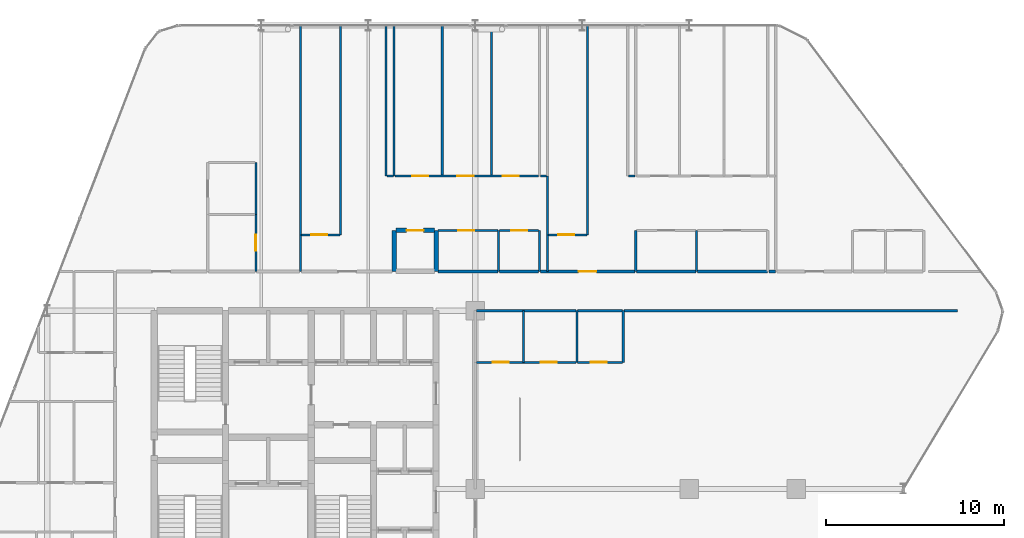
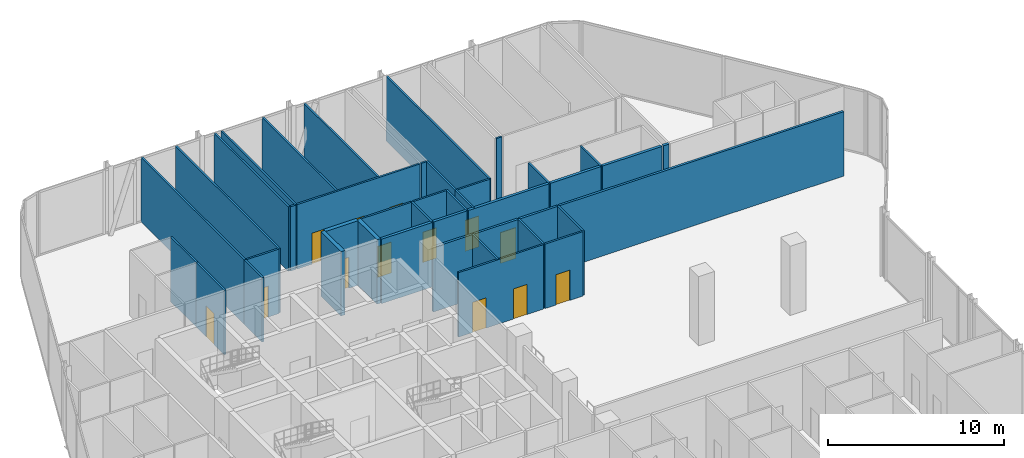
# One storey, part 27 of 29: 41 walls, 13 doors, 13 openings.
"""IFC4 building model written with IfcOpenShell, lengths in metres."""

from ifc_helpers import new_model, si_unit, direction, frame, frame_2d, origin, place, context, subcontext, project, spatial, rectangle, extrude, material, layer, layer_set, type_object, element, fill, save


model = new_model("IFC4")

# Units and contexts
model_context = context("Model", 3, precision=1e-05, world=origin(), true_north=direction((0.0, 1.0)))
body_context = subcontext(model_context, "Body", "Model", "MODEL_VIEW")
ifc_project = project(units=[si_unit("LENGTHUNIT", "METRE"), si_unit("AREAUNIT", "SQUARE_METRE"), si_unit("VOLUMEUNIT", "CUBIC_METRE"), si_unit("PLANEANGLEUNIT", "RADIAN"), si_unit("MASSUNIT", "GRAM", prefix="KILO")], contexts=[model_context])

# Site, building, storey
site_placement = place(None, origin())
site = spatial("IfcSite", under=ifc_project, at=site_placement, CompositionType="ELEMENT")
building_placement = place(site_placement, origin())
building = spatial("IfcBuilding", under=site, at=building_placement, Name="Keshet Zoharim Tower", CompositionType="ELEMENT")
storey_placement = place(building_placement, frame((0.0, 0.0, 120.5)))
storey = spatial("IfcBuildingStorey", under=building, at=storey_placement, Name="L29", CompositionType="ELEMENT", Elevation=120.5)

# Walls
ifc_material_1 = material(Name="Gypsum Plasterboard", Category="gypsum")
ifc_layer_1 = layer(ifc_material_1, 0.14990234375)
ifc_layer_set_1 = layer_set([ifc_layer_1], Name="Gypsum Plasterboard")
wall_type_1 = type_object("IfcWallType", Name="WL-CLIN-150", PredefinedType="STANDARD", material=ifc_layer_set_1)
wall_1_placement = place(storey_placement, frame((33.06005859375, 37.89990234375, 0.0), z_axis=(0.0, 0.0, 1.0), x_axis=(1.0, 0.0, 0.0)))
element("IfcWall", 1, at=wall_1_placement, inside=storey, type_object=wall_type_1, Name="L29 Interior Wall 182", PredefinedType="STANDARD", context=body_context, shape_type="SweptSolid", body=[
    extrude(rectangle(XDim=5.594970703125, YDim=0.14990234375, at=frame_2d((2.79736328125, 0.0))), origin(), (0.0, 0.0, 1.0), 4.47998046875),
])
wall_2_placement = place(storey_placement, frame((38.7451171875, 37.89990234375, 0.0), z_axis=(0.0, 0.0, 1.0), x_axis=(1.0, 0.0, 0.0)))
element("IfcWall", 2, at=wall_2_placement, inside=storey, type_object=wall_type_1, Name="L29 Interior Wall 183", PredefinedType="STANDARD", context=body_context, shape_type="SweptSolid", body=[
    extrude(rectangle(XDim=2.509765625, YDim=0.14990234375, at=frame_2d((1.2548828125, 0.0))), origin(), (0.0, 0.0, 1.0), 4.47998046875),
])
wall_3_placement = place(storey_placement, frame((41.344970703125, 37.89990234375, 0.0), z_axis=(0.0, 0.0, 1.0), x_axis=(1.0, 0.0, 0.0)))
element("IfcWall", 3, at=wall_3_placement, inside=storey, type_object=wall_type_1, Name="L29 Interior Wall 184", PredefinedType="STANDARD", context=body_context, shape_type="SweptSolid", body=[
    extrude(rectangle(XDim=18.705078125, YDim=0.14990234375, at=frame_2d((9.3525390625, 0.0))), origin(), (0.0, 0.0, 1.0), 4.47998046875),
])
ifc_layer_2 = layer(ifc_material_1, 0.179931640625)
ifc_layer_set_2 = layer_set([ifc_layer_2], Name="Gypsum Plasterboard")
wall_type_2 = type_object("IfcWallType", Name="WL-CORR-180", PredefinedType="STANDARD", material=ifc_layer_set_2)
wall_4_placement = place(storey_placement, frame((30.924072265625, 40.10009765625, 0.0), z_axis=(0.0, 0.0, 1.0), x_axis=(1.0, 0.0, 0.0)))
element("IfcWall", 4, at=wall_4_placement, inside=storey, type_object=wall_type_2, Name="L29 Interior Wall 192", PredefinedType="STANDARD", context=body_context, shape_type="SweptSolid", body=[
    extrude(rectangle(XDim=3.348876953125, YDim=0.179931640625, at=frame_2d((1.67431640625, 0.0))), origin(), (0.0, 0.0, 1.0), 4.47998046875),
])
wall_5_placement = place(storey_placement, frame((34.363037109375, 40.10009765625, 0.0), z_axis=(0.0, 0.0, 1.0), x_axis=(1.0, 0.0, 0.0)))
element("IfcWall", 5, at=wall_5_placement, inside=storey, type_object=wall_type_2, Name="L29 Interior Wall 193", PredefinedType="STANDARD", context=body_context, shape_type="SweptSolid", body=[
    extrude(rectangle(XDim=2.19189453125, YDim=0.179931640625, at=frame_2d((1.095947265625, 0.0))), origin(), (0.0, 0.0, 1.0), 4.47998046875),
])

# Wall, opening, door
wall_6_placement = place(storey_placement, frame((36.64501953125, 40.10009765625, 0.0), z_axis=(0.0, 0.0, 1.0), x_axis=(1.0, 0.0, 0.0)))
wall_6 = element("IfcWall", 6, at=wall_6_placement, inside=storey, type_object=wall_type_2, Name="L29 Interior Wall 194", PredefinedType="STANDARD", context=body_context, shape_type="SweptSolid", body=[
    extrude(rectangle(XDim=5.300048828125, YDim=0.179931640625, at=frame_2d((2.64990234375, 0.0))), origin(), (0.0, 0.0, 1.0), 4.47998046875),
])
opening_1_placement = place(wall_6_placement, frame((2.14990234375, 0.0, 0.0)))
opening_1 = element("IfcOpeningElement", 7, at=opening_1_placement, cuts=wall_6, Name="Opening D-F310", PredefinedType="OPENING", context=body_context, shape_type="SweptSolid", body=[
    extrude(rectangle(XDim=1.0, YDim=2.14990234375, at=frame_2d((0.5, 1.074951171875))), frame((0.0, 0.10009765625, 0.0), z_axis=(0.0, -1.0, 0.0), x_axis=(1.0, 0.0, 0.0)), (0.0, 0.0, 1.0), 0.199951171875),
])
ifc_material_2 = material(Name="Hardwood Timber", Category="wood")
door_type_1 = type_object("IfcDoorType", Name="DR-FD30-100", OperationType="NOTDEFINED", PredefinedType="DOOR", material=ifc_material_2)
door_1_placement = place(opening_1_placement, origin())
door_1 = element("IfcDoor", 8, at=door_1_placement, inside=storey, type_object=door_type_1, Name="Apartment 2908 Entrance Door", OperationType="SINGLE_SWING_LEFT", OverallHeight=2.14990234375, OverallWidth=1.0, PredefinedType="DOOR", context=body_context, shape_type="SweptSolid", body=[
    extrude(rectangle(XDim=1.0, YDim=2.14990234375, at=frame_2d((0.5, 1.074951171875))), frame((0.0, 0.02490234375, 0.0), z_axis=(0.0, -1.0, 0.0), x_axis=(1.0, 0.0, 0.0)), (0.0, 0.0, 1.0), 0.050048828125),
])
fill(opening_1, door_1)

# Walls
wall_7_placement = place(storey_placement, frame((42.034912109375, 40.10009765625, 0.0), z_axis=(0.0, 0.0, 1.0), x_axis=(1.0, 0.0, 0.0)))
element("IfcWall", 9, at=wall_7_placement, inside=storey, type_object=wall_type_2, Name="L29 Interior Wall 195", PredefinedType="STANDARD", context=body_context, shape_type="SweptSolid", body=[
    extrude(rectangle(XDim=3.328125, YDim=0.179931640625, at=frame_2d((1.6640625, 0.0))), origin(), (0.0, 0.0, 1.0), 4.47998046875),
])
wall_8_placement = place(storey_placement, frame((45.452880859375, 40.10009765625, 0.0), z_axis=(0.0, 0.0, 1.0), x_axis=(1.0, 0.0, 0.0)))
element("IfcWall", 10, at=wall_8_placement, inside=storey, type_object=wall_type_2, Name="L29 Interior Wall 196", PredefinedType="STANDARD", context=body_context, shape_type="SweptSolid", body=[
    extrude(rectangle(XDim=3.922119140625, YDim=0.179931640625, at=frame_2d((1.9609375, 0.0))), origin(), (0.0, 0.0, 1.0), 4.47998046875),
])
wall_9_placement = place(storey_placement, frame((49.465087890625, 40.10009765625, 0.0), z_axis=(0.0, 0.0, 1.0), x_axis=(1.0, 0.0, 0.0)))
element("IfcWall", 11, at=wall_9_placement, inside=storey, type_object=wall_type_2, Name="L29 Interior Wall 197", PredefinedType="STANDARD", context=body_context, shape_type="SweptSolid", body=[
    extrude(rectangle(XDim=0.35986328125, YDim=0.179931640625, at=frame_2d((0.179931640625, 0.0))), origin(), (0.0, 0.0, 1.0), 4.47998046875),
])
ifc_material_3 = material(Name="Concrete C50/60", Category="concrete")
ifc_layer_3 = layer(ifc_material_3, 0.25)
ifc_layer_set_3 = layer_set([ifc_layer_3], Name="Concrete C50/60")
wall_type_3 = type_object("IfcWallType", Name="WL-MAMAD-250", PredefinedType="STANDARD", material=ifc_layer_set_3)
for number, where, z_axis, x_axis, name in (
    (12, (28.449951171875, 40.10009765625, 0.0), (0.0, 0.0, 1.0), (0.0, 1.0, 0.0), "L29 Interior Wall 053"),
    (13, (30.800048828125, 40.10009765625, 0.0), (0.0, 0.0, 1.0), (0.0, 1.0, 0.0), "L29 Interior Wall 066"),
):
    element("IfcWall", number, at=place(storey_placement, frame(where, z_axis=z_axis, x_axis=x_axis)), inside=storey, type_object=wall_type_3, Name=name, PredefinedType="STANDARD", context=body_context, shape_type="SweptSolid", body=[
        extrude(rectangle(XDim=2.2998046875, YDim=0.25, at=frame_2d((1.14990234375, 0.0))), origin(), (0.0, 0.0, 1.0), 4.47998046875),
    ])

# Wall, opening, door
wall_10_placement = place(storey_placement, frame((28.56005859375, 42.39990234375, 0.0), z_axis=(0.0, 0.0, 1.0), x_axis=(1.0, 0.0, 0.0)))
wall_10 = element("IfcWall", 14, at=wall_10_placement, inside=storey, type_object=wall_type_3, Name="L29 Interior Wall 204", PredefinedType="STANDARD", context=body_context, shape_type="SweptSolid", body=[
    extrude(rectangle(XDim=2.14404296875, YDim=0.25, at=frame_2d((1.072021484375, 0.0))), origin(), (0.0, 0.0, 1.0), 4.47998046875),
])
opening_2_placement = place(wall_10_placement, frame((0.596923828125, 0.0, 0.0)))
opening_2 = element("IfcOpeningElement", 15, at=opening_2_placement, cuts=wall_10, Name="Opening D-F695", PredefinedType="OPENING", context=body_context, shape_type="SweptSolid", body=[
    extrude(rectangle(XDim=0.949951171875, YDim=2.14990234375, at=frame_2d((0.47509765625, 1.074951171875))), frame((0.0, 0.135009765625, 0.0), z_axis=(0.0, -1.0, 0.0), x_axis=(1.0, 0.0, 0.0)), (0.0, 0.0, 1.0), 0.27001953125),
])
door_type_2 = type_object("IfcDoorType", Name="DR-FD60-095", OperationType="NOTDEFINED", PredefinedType="DOOR", material=ifc_material_2)
door_2_placement = place(opening_2_placement, origin())
door_2 = element("IfcDoor", 16, at=door_2_placement, inside=storey, type_object=door_type_2, Name="Apartment 2907 Study and Shelter Room Door", OperationType="SINGLE_SWING_LEFT", OverallHeight=2.14990234375, OverallWidth=0.949951171875, PredefinedType="DOOR", context=body_context, shape_type="SweptSolid", body=[
    extrude(rectangle(XDim=0.949951171875, YDim=2.14990234375, at=frame_2d((0.47509765625, 1.074951171875))), frame((0.0, 0.02490234375, 0.0), z_axis=(0.0, -1.0, 0.0), x_axis=(1.0, 0.0, 0.0)), (0.0, 0.0, 1.0), 0.050048828125),
])
fill(opening_2, door_2)

ifc_layer_4 = layer(ifc_material_1, 0.1201171875)
ifc_layer_set_4 = layer_set([ifc_layer_4], Name="Gypsum Plasterboard")
wall_type_4 = type_object("IfcWallType", Name="WL-PART-120", PredefinedType="PARTITIONING", material=ifc_layer_set_4)
wall_11_placement = place(storey_placement, frame((20.699951171875, 40.10009765625, 0.0), z_axis=(0.0, 0.0, 1.0), x_axis=(0.0, 1.0, 0.0)))
wall_11 = element("IfcWall", 17, at=wall_11_placement, inside=storey, type_object=wall_type_4, Name="L29 Interior Wall 028", PredefinedType="PARTITIONING", context=body_context, shape_type="SweptSolid", body=[
    extrude(rectangle(XDim=3.199951171875, YDim=0.1201171875, at=frame_2d((1.60009765625, 0.0))), origin(), (0.0, 0.0, 1.0), 4.47998046875),
])
opening_3_placement = place(wall_11_placement, frame((1.14990234375, 0.0, 0.0)))
opening_3 = element("IfcOpeningElement", 18, at=opening_3_placement, cuts=wall_11, Name="Opening D-IN90", PredefinedType="OPENING", context=body_context, shape_type="SweptSolid", body=[
    extrude(rectangle(XDim=0.89990234375, YDim=2.14990234375, at=frame_2d((0.449951171875, 1.074951171875))), frame((0.0, 0.070068359375, 0.0), z_axis=(0.0, -1.0, 0.0), x_axis=(1.0, 0.0, 0.0)), (0.0, 0.0, 1.0), 0.14013671875),
])
door_type_3 = type_object("IfcDoorType", Name="DR-INT-090", OperationType="NOTDEFINED", PredefinedType="DOOR", material=ifc_material_2)
door_3_placement = place(opening_3_placement, origin())
door_3 = element("IfcDoor", 19, at=door_3_placement, inside=storey, type_object=door_type_3, Name="Apartment 2906 Kitchenette Door", OperationType="SINGLE_SWING_LEFT", OverallHeight=2.14990234375, OverallWidth=0.89990234375, PredefinedType="DOOR", context=body_context, shape_type="SweptSolid", body=[
    extrude(rectangle(XDim=0.89990234375, YDim=2.14990234375, at=frame_2d((0.449951171875, 1.074951171875))), frame((0.0, 0.02490234375, 0.0), z_axis=(0.0, -1.0, 0.0), x_axis=(1.0, 0.0, 0.0)), (0.0, 0.0, 1.0), 0.050048828125),
])
fill(opening_3, door_3)

# Walls
wall_12_placement = place(storey_placement, frame((23.199951171875, 40.10009765625, 0.0), z_axis=(0.0, 0.0, 1.0), x_axis=(0.0, 1.0, 0.0)))
element("IfcWall", 20, at=wall_12_placement, inside=storey, type_object=wall_type_4, Name="L29 Interior Wall 034", PredefinedType="PARTITIONING", context=body_context, shape_type="SweptSolid", body=[
    extrude(rectangle(XDim=2.0498046875, YDim=0.1201171875, at=frame_2d((1.02490234375, 0.0))), origin(), (0.0, 0.0, 1.0), 4.47998046875),
])
for number, where, z_axis, x_axis, name in (
    (21, (23.199951171875, 42.14990234375, 0.0), (0.0, 0.0, 1.0), (0.0, 1.0, 0.0), "L29 Interior Wall 035"),
    (22, (25.449951171875, 42.14990234375, 0.0), (0.0, 0.0, 1.0), (0.0, 1.0, 0.0), "L29 Interior Wall 044"),
):
    element("IfcWall", number, at=place(storey_placement, frame(where, z_axis=z_axis, x_axis=x_axis)), inside=storey, type_object=wall_type_4, Name=name, PredefinedType="PARTITIONING", context=body_context, shape_type="SweptSolid", body=[
        extrude(rectangle(XDim=11.739990234375, YDim=0.1201171875, at=frame_2d((5.8701171875, 0.0))), origin(), (0.0, 0.0, 1.0), 4.47998046875),
    ])
for number, where, z_axis, x_axis, name in (
    (23, (28.0, 45.449951171875, 0.0), (0.0, 0.0, 1.0), (0.0, 1.0, 0.0), "L29 Interior Wall 052"),
    (24, (28.449951171875, 45.449951171875, 0.0), (0.0, 0.0, 1.0), (0.0, 1.0, 0.0), "L29 Interior Wall 054"),
    (25, (31.14990234375, 45.449951171875, 0.0), (0.0, 0.0, 1.0), (0.0, 1.0, 0.0), "L29 Interior Wall 067"),
    (26, (33.89990234375, 45.449951171875, 0.0), (0.0, 0.0, 1.0), (0.0, 1.0, 0.0), "L29 Interior Wall 073"),
):
    element("IfcWall", number, at=place(storey_placement, frame(where, z_axis=z_axis, x_axis=x_axis)), inside=storey, type_object=wall_type_4, Name=name, PredefinedType="PARTITIONING", context=body_context, shape_type="SweptSolid", body=[
        extrude(rectangle(XDim=8.43994140625, YDim=0.1201171875, at=frame_2d((4.219970703125, 0.0))), origin(), (0.0, 0.0, 1.0), 4.47998046875),
    ])
wall_13_placement = place(storey_placement, frame((37.050048828125, 40.10009765625, 0.0), z_axis=(0.0, 0.0, 1.0), x_axis=(0.0, 1.0, 0.0)))
element("IfcWall", 27, at=wall_13_placement, inside=storey, type_object=wall_type_4, Name="L29 Interior Wall 081", PredefinedType="PARTITIONING", context=body_context, shape_type="SweptSolid", body=[
    extrude(rectangle(XDim=2.0498046875, YDim=0.1201171875, at=frame_2d((1.02490234375, 0.0))), origin(), (0.0, 0.0, 1.0), 4.47998046875),
])
wall_14_placement = place(storey_placement, frame((37.050048828125, 42.14990234375, 0.0), z_axis=(0.0, 0.0, 1.0), x_axis=(0.0, 1.0, 0.0)))
element("IfcWall", 28, at=wall_14_placement, inside=storey, type_object=wall_type_4, Name="L29 Interior Wall 082", PredefinedType="PARTITIONING", context=body_context, shape_type="SweptSolid", body=[
    extrude(rectangle(XDim=3.300048828125, YDim=0.1201171875, at=frame_2d((1.64990234375, 0.0))), origin(), (0.0, 0.0, 1.0), 4.47998046875),
])
wall_15_placement = place(storey_placement, frame((39.300048828125, 42.14990234375, 0.0), z_axis=(0.0, 0.0, 1.0), x_axis=(0.0, 1.0, 0.0)))
element("IfcWall", 29, at=wall_15_placement, inside=storey, type_object=wall_type_4, Name="L29 Interior Wall 088", PredefinedType="PARTITIONING", context=body_context, shape_type="SweptSolid", body=[
    extrude(rectangle(XDim=11.739990234375, YDim=0.1201171875, at=frame_2d((5.8701171875, 0.0))), origin(), (0.0, 0.0, 1.0), 4.47998046875),
])
wall_16_placement = place(storey_placement, frame((42.0, 40.10009765625, 0.0), z_axis=(0.0, 0.0, 1.0), x_axis=(0.0, 1.0, 0.0)))
element("IfcWall", 30, at=wall_16_placement, inside=storey, type_object=wall_type_4, Name="L29 Interior Wall 094", PredefinedType="PARTITIONING", context=body_context, shape_type="SweptSolid", body=[
    extrude(rectangle(XDim=2.2998046875, YDim=0.1201171875, at=frame_2d((1.14990234375, 0.0))), origin(), (0.0, 0.0, 1.0), 4.47998046875),
])

# Wall, opening, door
wall_17_placement = place(storey_placement, frame((23.2451171875, 42.14990234375, 0.0), z_axis=(0.0, 0.0, 1.0), x_axis=(1.0, 0.0, 0.0)))
wall_17 = element("IfcWall", 31, at=wall_17_placement, inside=storey, type_object=wall_type_4, Name="L29 Interior Wall 202", PredefinedType="PARTITIONING", context=body_context, shape_type="SweptSolid", body=[
    extrude(rectangle(XDim=2.159912109375, YDim=0.1201171875, at=frame_2d((1.080078125, 0.0))), origin(), (0.0, 0.0, 1.0), 4.47998046875),
])
opening_4_placement = place(wall_17_placement, frame((0.552978515625, 0.0, 0.0)))
opening_4 = element("IfcOpeningElement", 32, at=opening_4_placement, cuts=wall_17, Name="Opening D-IN90", PredefinedType="OPENING", context=body_context, shape_type="SweptSolid", body=[
    extrude(rectangle(XDim=0.89990234375, YDim=2.14990234375, at=frame_2d((0.449951171875, 1.074951171875))), frame((0.0, 0.070068359375, 0.0), z_axis=(0.0, -1.0, 0.0), x_axis=(1.0, 0.0, 0.0)), (0.0, 0.0, 1.0), 0.14013671875),
])
door_4_placement = place(opening_4_placement, origin())
door_4 = element("IfcDoor", 33, at=door_4_placement, inside=storey, type_object=door_type_3, Name="Apartment 2907 Formal Dining Room Door", OperationType="SINGLE_SWING_LEFT", OverallHeight=2.14990234375, OverallWidth=0.89990234375, PredefinedType="DOOR", context=body_context, shape_type="SweptSolid", body=[
    extrude(rectangle(XDim=0.89990234375, YDim=2.14990234375, at=frame_2d((0.449951171875, 1.074951171875))), frame((0.0, 0.02490234375, 0.0), z_axis=(0.0, -1.0, 0.0), x_axis=(1.0, 0.0, 0.0)), (0.0, 0.0, 1.0), 0.050048828125),
])
fill(opening_4, door_4)

wall_18_placement = place(storey_placement, frame((37.094970703125, 42.14990234375, 0.0), z_axis=(0.0, 0.0, 1.0), x_axis=(1.0, 0.0, 0.0)))
wall_18 = element("IfcWall", 34, at=wall_18_placement, inside=storey, type_object=wall_type_4, Name="L29 Interior Wall 203", PredefinedType="PARTITIONING", context=body_context, shape_type="SweptSolid", body=[
    extrude(rectangle(XDim=2.159912109375, YDim=0.1201171875, at=frame_2d((1.080078125, 0.0))), origin(), (0.0, 0.0, 1.0), 4.47998046875),
])
opening_5_placement = place(wall_18_placement, frame((0.552978515625, 0.0, 0.0)))
opening_5 = element("IfcOpeningElement", 35, at=opening_5_placement, cuts=wall_18, Name="Opening D-IN90", PredefinedType="OPENING", context=body_context, shape_type="SweptSolid", body=[
    extrude(rectangle(XDim=0.89990234375, YDim=2.14990234375, at=frame_2d((0.449951171875, 1.074951171875))), frame((0.0, 0.070068359375, 0.0), z_axis=(0.0, -1.0, 0.0), x_axis=(1.0, 0.0, 0.0)), (0.0, 0.0, 1.0), 0.14013671875),
])
door_5_placement = place(opening_5_placement, origin())
door_5 = element("IfcDoor", 36, at=door_5_placement, inside=storey, type_object=door_type_3, Name="Apartment 2908 Formal Dining Room Door", OperationType="SINGLE_SWING_RIGHT", OverallHeight=2.14990234375, OverallWidth=0.89990234375, PredefinedType="DOOR", context=body_context, shape_type="SweptSolid", body=[
    extrude(rectangle(XDim=0.89990234375, YDim=2.14990234375, at=frame_2d((0.449951171875, 1.074951171875))), frame((0.0, 0.02490234375, 0.0), z_axis=(0.0, -1.0, 0.0), x_axis=(1.0, 0.0, 0.0)), (0.0, 0.0, 1.0), 0.050048828125),
])
fill(opening_5, door_5)

wall_19_placement = place(storey_placement, frame((30.924072265625, 42.39990234375, 0.0), z_axis=(0.0, 0.0, 1.0), x_axis=(1.0, 0.0, 0.0)))
wall_19 = element("IfcWall", 37, at=wall_19_placement, inside=storey, type_object=wall_type_4, Name="L29 Interior Wall 205", PredefinedType="PARTITIONING", context=body_context, shape_type="SweptSolid", body=[
    extrude(rectangle(XDim=3.348876953125, YDim=0.1201171875, at=frame_2d((1.67431640625, 0.0))), origin(), (0.0, 0.0, 1.0), 4.47998046875),
])
opening_6_placement = place(wall_19_placement, frame((1.1220703125, 0.0, 0.0)))
opening_6 = element("IfcOpeningElement", 38, at=opening_6_placement, cuts=wall_19, Name="Opening D-IN90", PredefinedType="OPENING", context=body_context, shape_type="SweptSolid", body=[
    extrude(rectangle(XDim=0.89990234375, YDim=2.14990234375, at=frame_2d((0.449951171875, 1.074951171875))), frame((0.0, 0.070068359375, 0.0), z_axis=(0.0, -1.0, 0.0), x_axis=(1.0, 0.0, 0.0)), (0.0, 0.0, 1.0), 0.14013671875),
])
door_6_placement = place(opening_6_placement, origin())
door_6 = element("IfcDoor", 39, at=door_6_placement, inside=storey, type_object=door_type_3, Name="Apartment 2907 Kitchen Door", OperationType="SINGLE_SWING_RIGHT", OverallHeight=2.14990234375, OverallWidth=0.89990234375, PredefinedType="DOOR", context=body_context, shape_type="SweptSolid", body=[
    extrude(rectangle(XDim=0.89990234375, YDim=2.14990234375, at=frame_2d((0.449951171875, 1.074951171875))), frame((0.0, 0.02490234375, 0.0), z_axis=(0.0, -1.0, 0.0), x_axis=(1.0, 0.0, 0.0)), (0.0, 0.0, 1.0), 0.050048828125),
])
fill(opening_6, door_6)

# Wall
wall_20_placement = place(storey_placement, frame((28.044921875, 45.449951171875, 0.0), z_axis=(0.0, 0.0, 1.0), x_axis=(1.0, 0.0, 0.0)))
element("IfcWall", 40, at=wall_20_placement, inside=storey, type_object=wall_type_4, Name="L29 Interior Wall 212", PredefinedType="PARTITIONING", context=body_context, shape_type="SweptSolid", body=[
    extrude(rectangle(XDim=0.360107421875, YDim=0.1201171875, at=frame_2d((0.18017578125, 0.0))), origin(), (0.0, 0.0, 1.0), 4.47998046875),
])

# Wall, openings, doors
wall_21_placement = place(storey_placement, frame((28.4951171875, 45.449951171875, 0.0), z_axis=(0.0, 0.0, 1.0), x_axis=(1.0, 0.0, 0.0)))
wall_21 = element("IfcWall", 41, at=wall_21_placement, inside=storey, type_object=wall_type_4, Name="L29 Interior Wall 213", PredefinedType="PARTITIONING", context=body_context, shape_type="SweptSolid", body=[
    extrude(rectangle(XDim=8.059814453125, YDim=0.1201171875, at=frame_2d((4.02978515625, 0.0))), origin(), (0.0, 0.0, 1.0), 4.47998046875),
])
opening_7_placement = place(wall_21_placement, frame((0.968017578125, 0.0, 0.0)))
opening_7 = element("IfcOpeningElement", 42, at=opening_7_placement, cuts=wall_21, Name="Opening D-IN90", PredefinedType="OPENING", context=body_context, shape_type="SweptSolid", body=[
    extrude(rectangle(XDim=0.89990234375, YDim=2.14990234375, at=frame_2d((0.449951171875, 1.074951171875))), frame((0.0, 0.070068359375, 0.0), z_axis=(0.0, -1.0, 0.0), x_axis=(1.0, 0.0, 0.0)), (0.0, 0.0, 1.0), 0.14013671875),
])
opening_8_placement = place(wall_21_placement, frame((3.507080078125, 0.0, 0.0)))
opening_8 = element("IfcOpeningElement", 43, at=opening_8_placement, cuts=wall_21, Name="Opening D-IN90", PredefinedType="OPENING", context=body_context, shape_type="SweptSolid", body=[
    extrude(rectangle(XDim=0.89990234375, YDim=2.14990234375, at=frame_2d((0.449951171875, 1.074951171875))), frame((0.0, 0.070068359375, 0.0), z_axis=(0.0, -1.0, 0.0), x_axis=(1.0, 0.0, 0.0)), (0.0, 0.0, 1.0), 0.14013671875),
])
opening_9_placement = place(wall_21_placement, frame((6.051025390625, 0.0, 0.0)))
opening_9 = element("IfcOpeningElement", 44, at=opening_9_placement, cuts=wall_21, Name="Opening D-IN90", PredefinedType="OPENING", context=body_context, shape_type="SweptSolid", body=[
    extrude(rectangle(XDim=0.89990234375, YDim=2.14990234375, at=frame_2d((0.449951171875, 1.074951171875))), frame((0.0, 0.070068359375, 0.0), z_axis=(0.0, -1.0, 0.0), x_axis=(1.0, 0.0, 0.0)), (0.0, 0.0, 1.0), 0.14013671875),
])
door_7_placement = place(opening_7_placement, origin())
door_7 = element("IfcDoor", 45, at=door_7_placement, inside=storey, type_object=door_type_3, Name="Apartment 2907 Bedroom 1 Door", OperationType="SINGLE_SWING_RIGHT", OverallHeight=2.14990234375, OverallWidth=0.89990234375, PredefinedType="DOOR", context=body_context, shape_type="SweptSolid", body=[
    extrude(rectangle(XDim=0.89990234375, YDim=2.14990234375, at=frame_2d((0.449951171875, 1.074951171875))), frame((0.0, 0.02490234375, 0.0), z_axis=(0.0, -1.0, 0.0), x_axis=(1.0, 0.0, 0.0)), (0.0, 0.0, 1.0), 0.050048828125),
])
fill(opening_7, door_7)
door_8_placement = place(opening_8_placement, origin())
door_8 = element("IfcDoor", 46, at=door_8_placement, inside=storey, type_object=door_type_3, Name="Apartment 2907 Bedroom 2 Door", OperationType="SINGLE_SWING_LEFT", OverallHeight=2.14990234375, OverallWidth=0.89990234375, PredefinedType="DOOR", context=body_context, shape_type="SweptSolid", body=[
    extrude(rectangle(XDim=0.89990234375, YDim=2.14990234375, at=frame_2d((0.449951171875, 1.074951171875))), frame((0.0, 0.02490234375, 0.0), z_axis=(0.0, -1.0, 0.0), x_axis=(1.0, 0.0, 0.0)), (0.0, 0.0, 1.0), 0.050048828125),
])
fill(opening_8, door_8)
door_9_placement = place(opening_9_placement, origin())
door_9 = element("IfcDoor", 47, at=door_9_placement, inside=storey, type_object=door_type_3, Name="Apartment 2907 Bedroom 3 Door", OperationType="SINGLE_SWING_RIGHT", OverallHeight=2.14990234375, OverallWidth=0.89990234375, PredefinedType="DOOR", context=body_context, shape_type="SweptSolid", body=[
    extrude(rectangle(XDim=0.89990234375, YDim=2.14990234375, at=frame_2d((0.449951171875, 1.074951171875))), frame((0.0, 0.02490234375, 0.0), z_axis=(0.0, -1.0, 0.0), x_axis=(1.0, 0.0, 0.0)), (0.0, 0.0, 1.0), 0.050048828125),
])
fill(opening_9, door_9)

# Walls
wall_22_placement = place(storey_placement, frame((36.64501953125, 45.449951171875, 0.0), z_axis=(0.0, 0.0, 1.0), x_axis=(1.0, 0.0, 0.0)))
element("IfcWall", 48, at=wall_22_placement, inside=storey, type_object=wall_type_4, Name="L29 Interior Wall 214", PredefinedType="PARTITIONING", context=body_context, shape_type="SweptSolid", body=[
    extrude(rectangle(XDim=0.35986328125, YDim=0.1201171875, at=frame_2d((0.179931640625, 0.0))), origin(), (0.0, 0.0, 1.0), 4.47998046875),
])
wall_23_placement = place(storey_placement, frame((41.5849609375, 45.449951171875, 0.0), z_axis=(0.0, 0.0, 1.0), x_axis=(1.0, 0.0, 0.0)))
element("IfcWall", 49, at=wall_23_placement, inside=storey, type_object=wall_type_4, Name="L29 Interior Wall 215", PredefinedType="PARTITIONING", context=body_context, shape_type="SweptSolid", body=[
    extrude(rectangle(XDim=0.360107421875, YDim=0.1201171875, at=frame_2d((0.18017578125, 0.0))), origin(), (0.0, 0.0, 1.0), 4.47998046875),
])
ifc_layer_5 = layer(ifc_material_1, 0.1201171875)
ifc_layer_set_5 = layer_set([ifc_layer_5], Name="Gypsum Plasterboard")
wall_type_5 = type_object("IfcWallType", Name="WL-WET-120", PredefinedType="PARTITIONING", material=ifc_layer_set_5)
wall_24_placement = place(storey_placement, frame((20.699951171875, 43.300048828125, 0.0), z_axis=(0.0, 0.0, 1.0), x_axis=(0.0, 1.0, 0.0)))
element("IfcWall", 50, at=wall_24_placement, inside=storey, type_object=wall_type_5, Name="L29 Interior Wall 029", PredefinedType="PARTITIONING", context=body_context, shape_type="SweptSolid", body=[
    extrude(rectangle(XDim=2.89990234375, YDim=0.1201171875, at=frame_2d((1.449951171875, 0.0))), origin(), (0.0, 0.0, 1.0), 4.47998046875),
])
wall_25_placement = place(storey_placement, frame((34.300048828125, 40.10009765625, 0.0), z_axis=(0.0, 0.0, 1.0), x_axis=(0.0, 1.0, 0.0)))
element("IfcWall", 51, at=wall_25_placement, inside=storey, type_object=wall_type_5, Name="L29 Interior Wall 074", PredefinedType="PARTITIONING", context=body_context, shape_type="SweptSolid", body=[
    extrude(rectangle(XDim=2.2998046875, YDim=0.1201171875, at=frame_2d((1.14990234375, 0.0))), origin(), (0.0, 0.0, 1.0), 4.47998046875),
])
wall_26_placement = place(storey_placement, frame((35.699951171875, 35.0, 0.0), z_axis=(0.0, 0.0, 1.0), x_axis=(0.0, 1.0, 0.0)))
element("IfcWall", 52, at=wall_26_placement, inside=storey, type_object=wall_type_5, Name="L29 Interior Wall 078", PredefinedType="PARTITIONING", context=body_context, shape_type="SweptSolid", body=[
    extrude(rectangle(XDim=2.89990234375, YDim=0.1201171875, at=frame_2d((1.449951171875, 0.0))), origin(), (0.0, 0.0, 1.0), 4.47998046875),
])
wall_27_placement = place(storey_placement, frame((36.60009765625, 40.10009765625, 0.0), z_axis=(0.0, 0.0, 1.0), x_axis=(0.0, 1.0, 0.0)))
element("IfcWall", 53, at=wall_27_placement, inside=storey, type_object=wall_type_5, Name="L29 Interior Wall 079", PredefinedType="PARTITIONING", context=body_context, shape_type="SweptSolid", body=[
    extrude(rectangle(XDim=2.2998046875, YDim=0.1201171875, at=frame_2d((1.14990234375, 0.0))), origin(), (0.0, 0.0, 1.0), 4.47998046875),
])
for number, where, z_axis, x_axis, name in (
    (54, (38.699951171875, 35.0, 0.0), (0.0, 0.0, 1.0), (0.0, 1.0, 0.0), "L29 Interior Wall 084"),
    (55, (41.300048828125, 35.0, 0.0), (0.0, 0.0, 1.0), (0.0, 1.0, 0.0), "L29 Interior Wall 089"),
):
    element("IfcWall", number, at=place(storey_placement, frame(where, z_axis=z_axis, x_axis=x_axis)), inside=storey, type_object=wall_type_5, Name=name, PredefinedType="PARTITIONING", context=body_context, shape_type="SweptSolid", body=[
        extrude(rectangle(XDim=2.89990234375, YDim=0.1201171875, at=frame_2d((1.449951171875, 0.0))), origin(), (0.0, 0.0, 1.0), 4.47998046875),
    ])
wall_28_placement = place(storey_placement, frame((45.39990234375, 40.10009765625, 0.0), z_axis=(0.0, 0.0, 1.0), x_axis=(0.0, 1.0, 0.0)))
element("IfcWall", 56, at=wall_28_placement, inside=storey, type_object=wall_type_5, Name="L29 Interior Wall 097", PredefinedType="PARTITIONING", context=body_context, shape_type="SweptSolid", body=[
    extrude(rectangle(XDim=2.2998046875, YDim=0.1201171875, at=frame_2d((1.14990234375, 0.0))), origin(), (0.0, 0.0, 1.0), 4.47998046875),
])

# Wall, openings, doors
wall_29_placement = place(storey_placement, frame((33.06005859375, 35.0, 0.0), z_axis=(0.0, 0.0, 1.0), x_axis=(1.0, 0.0, 0.0)))
wall_29 = element("IfcWall", 57, at=wall_29_placement, inside=storey, type_object=wall_type_5, Name="L29 Interior Wall 176", PredefinedType="PARTITIONING", context=body_context, shape_type="SweptSolid", body=[
    extrude(rectangle(XDim=5.594970703125, YDim=0.1201171875, at=frame_2d((2.79736328125, 0.0))), origin(), (0.0, 0.0, 1.0), 4.47998046875),
])
opening_10_placement = place(wall_29_placement, frame((0.9150390625, 0.0, 0.0)))
opening_10 = element("IfcOpeningElement", 58, at=opening_10_placement, cuts=wall_29, Name="Opening D-WT90", PredefinedType="OPENING", context=body_context, shape_type="SweptSolid", body=[
    extrude(rectangle(XDim=0.89990234375, YDim=2.10009765625, at=frame_2d((0.449951171875, 1.050048828125))), frame((0.0, 0.070068359375, 0.0), z_axis=(0.0, -1.0, 0.0), x_axis=(1.0, 0.0, 0.0)), (0.0, 0.0, 1.0), 0.14013671875),
])
opening_11_placement = place(wall_29_placement, frame((3.614990234375, 0.0, 0.0)))
opening_11 = element("IfcOpeningElement", 59, at=opening_11_placement, cuts=wall_29, Name="Opening D-WT90", PredefinedType="OPENING", context=body_context, shape_type="SweptSolid", body=[
    extrude(rectangle(XDim=0.89990234375, YDim=2.10009765625, at=frame_2d((0.449951171875, 1.050048828125))), frame((0.0, 0.070068359375, 0.0), z_axis=(0.0, -1.0, 0.0), x_axis=(1.0, 0.0, 0.0)), (0.0, 0.0, 1.0), 0.14013671875),
])
door_type_4 = type_object("IfcDoorType", Name="DR-WET-090", OperationType="NOTDEFINED", PredefinedType="DOOR", material=ifc_material_2)
door_10_placement = place(opening_10_placement, origin())
door_10 = element("IfcDoor", 60, at=door_10_placement, inside=storey, type_object=door_type_4, Name="L29 Public WCM Door", OperationType="SINGLE_SWING_RIGHT", OverallHeight=2.10009765625, OverallWidth=0.89990234375, PredefinedType="DOOR", context=body_context, shape_type="SweptSolid", body=[
    extrude(rectangle(XDim=0.89990234375, YDim=2.10009765625, at=frame_2d((0.449951171875, 1.050048828125))), frame((0.0, 0.02490234375, 0.0), z_axis=(0.0, -1.0, 0.0), x_axis=(1.0, 0.0, 0.0)), (0.0, 0.0, 1.0), 0.050048828125),
])
fill(opening_10, door_10)
door_11_placement = place(opening_11_placement, origin())
door_11 = element("IfcDoor", 61, at=door_11_placement, inside=storey, type_object=door_type_4, Name="L29 Public WCF Door", OperationType="SINGLE_SWING_LEFT", OverallHeight=2.10009765625, OverallWidth=0.89990234375, PredefinedType="DOOR", context=body_context, shape_type="SweptSolid", body=[
    extrude(rectangle(XDim=0.89990234375, YDim=2.10009765625, at=frame_2d((0.449951171875, 1.050048828125))), frame((0.0, 0.02490234375, 0.0), z_axis=(0.0, -1.0, 0.0), x_axis=(1.0, 0.0, 0.0)), (0.0, 0.0, 1.0), 0.050048828125),
])
fill(opening_11, door_11)

# Wall, opening, door
wall_30_placement = place(storey_placement, frame((38.7451171875, 35.0, 0.0), z_axis=(0.0, 0.0, 1.0), x_axis=(1.0, 0.0, 0.0)))
wall_30 = element("IfcWall", 62, at=wall_30_placement, inside=storey, type_object=wall_type_5, Name="L29 Interior Wall 177", PredefinedType="PARTITIONING", context=body_context, shape_type="SweptSolid", body=[
    extrude(rectangle(XDim=2.509765625, YDim=0.1201171875, at=frame_2d((1.2548828125, 0.0))), origin(), (0.0, 0.0, 1.0), 4.47998046875),
])
opening_12_placement = place(wall_30_placement, frame((0.73095703125, 0.0, 0.0)))
opening_12 = element("IfcOpeningElement", 63, at=opening_12_placement, cuts=wall_30, Name="Opening D-WT90", PredefinedType="OPENING", context=body_context, shape_type="SweptSolid", body=[
    extrude(rectangle(XDim=0.89990234375, YDim=2.10009765625, at=frame_2d((0.449951171875, 1.050048828125))), frame((0.0, 0.070068359375, 0.0), z_axis=(0.0, -1.0, 0.0), x_axis=(1.0, 0.0, 0.0)), (0.0, 0.0, 1.0), 0.14013671875),
])
door_12_placement = place(opening_12_placement, origin())
door_12 = element("IfcDoor", 64, at=door_12_placement, inside=storey, type_object=door_type_4, Name="L29 Public WCA Door", OperationType="SINGLE_SWING_RIGHT", OverallHeight=2.10009765625, OverallWidth=0.89990234375, PredefinedType="DOOR", context=body_context, shape_type="SweptSolid", body=[
    extrude(rectangle(XDim=0.89990234375, YDim=2.10009765625, at=frame_2d((0.449951171875, 1.050048828125))), frame((0.0, 0.02490234375, 0.0), z_axis=(0.0, -1.0, 0.0), x_axis=(1.0, 0.0, 0.0)), (0.0, 0.0, 1.0), 0.050048828125),
])
fill(opening_12, door_12)

wall_31_placement = place(storey_placement, frame((34.363037109375, 42.39990234375, 0.0), z_axis=(0.0, 0.0, 1.0), x_axis=(1.0, 0.0, 0.0)))
wall_31 = element("IfcWall", 65, at=wall_31_placement, inside=storey, type_object=wall_type_5, Name="L29 Interior Wall 206", PredefinedType="PARTITIONING", context=body_context, shape_type="SweptSolid", body=[
    extrude(rectangle(XDim=2.19189453125, YDim=0.1201171875, at=frame_2d((1.095947265625, 0.0))), origin(), (0.0, 0.0, 1.0), 4.47998046875),
])
opening_13_placement = place(wall_31_placement, frame((0.64599609375, 0.0, 0.0)))
opening_13 = element("IfcOpeningElement", 66, at=opening_13_placement, cuts=wall_31, Name="Opening D-WT90", PredefinedType="OPENING", context=body_context, shape_type="SweptSolid", body=[
    extrude(rectangle(XDim=0.89990234375, YDim=2.10009765625, at=frame_2d((0.449951171875, 1.050048828125))), frame((0.0, 0.070068359375, 0.0), z_axis=(0.0, -1.0, 0.0), x_axis=(1.0, 0.0, 0.0)), (0.0, 0.0, 1.0), 0.14013671875),
])
door_13_placement = place(opening_13_placement, origin())
door_13 = element("IfcDoor", 67, at=door_13_placement, inside=storey, type_object=door_type_4, Name="Apartment 2907 Bathroom Door", OperationType="SINGLE_SWING_LEFT", OverallHeight=2.10009765625, OverallWidth=0.89990234375, PredefinedType="DOOR", context=body_context, shape_type="SweptSolid", body=[
    extrude(rectangle(XDim=0.89990234375, YDim=2.10009765625, at=frame_2d((0.449951171875, 1.050048828125))), frame((0.0, 0.02490234375, 0.0), z_axis=(0.0, -1.0, 0.0), x_axis=(1.0, 0.0, 0.0)), (0.0, 0.0, 1.0), 0.050048828125),
])
fill(opening_13, door_13)

save(model, "model.ifc")
